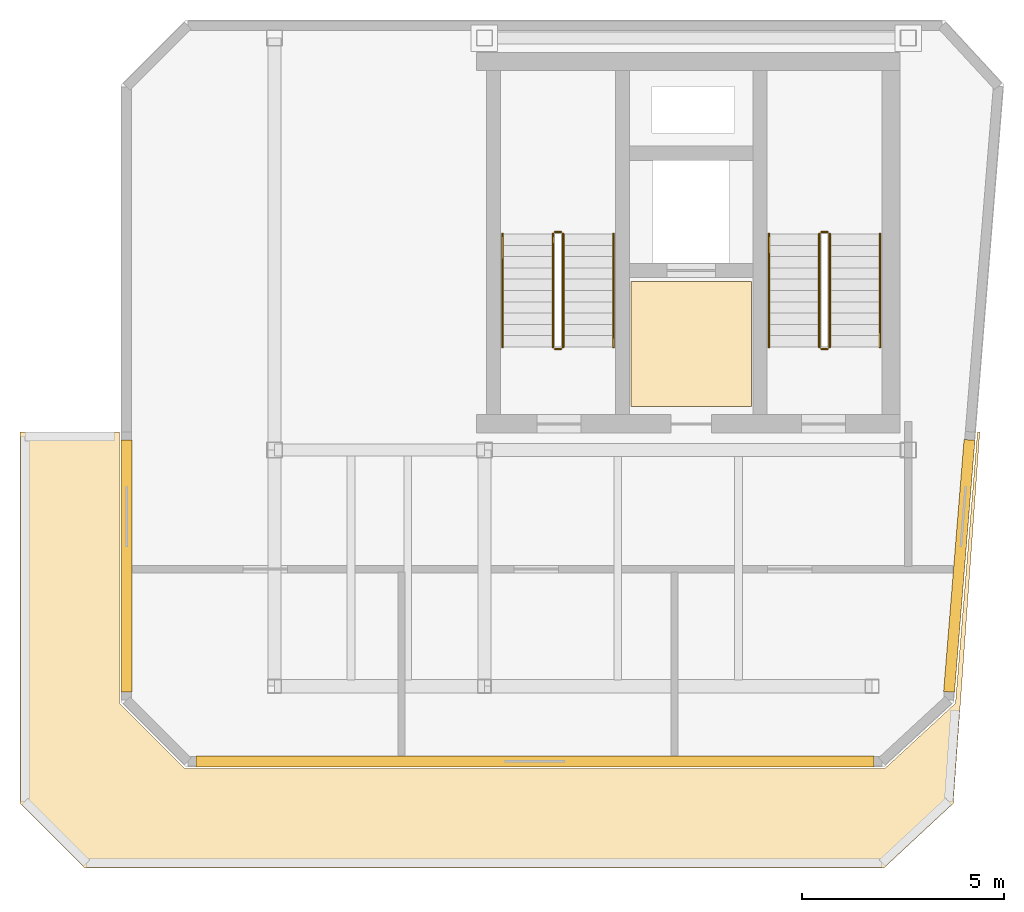
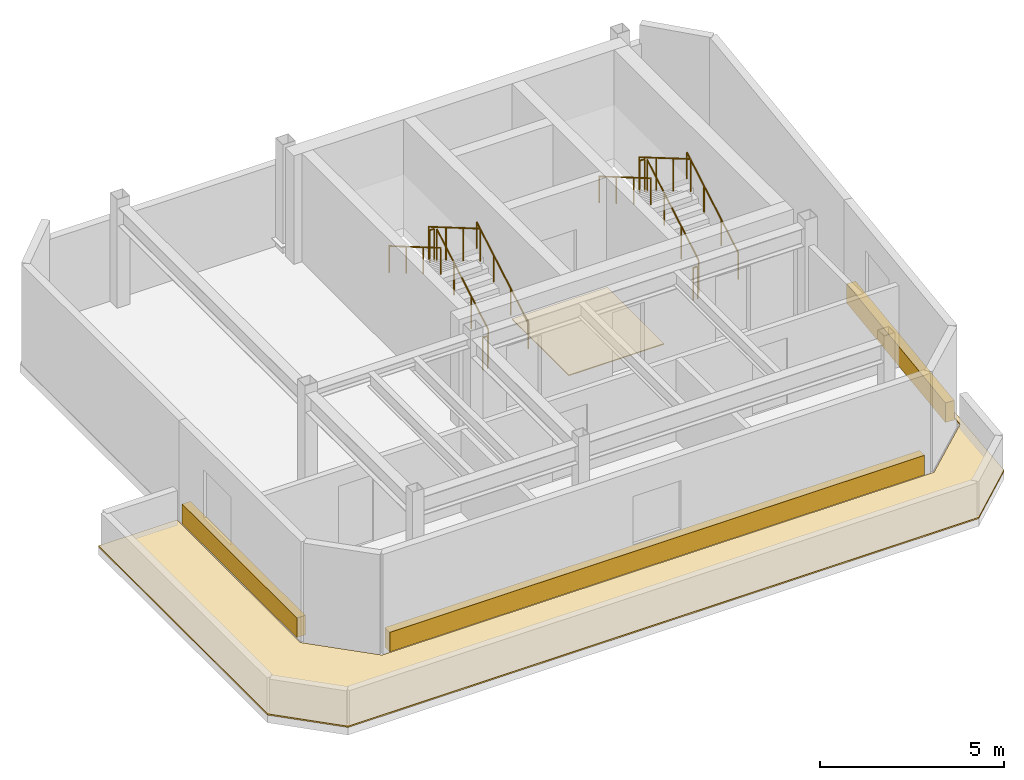
# One storey, part 3 of 3: 12 railings, 5 coverings.
"""IFC4 building model written with IfcOpenShell, lengths in metres."""

from ifc_helpers import new_model, si_unit, direction, frame, origin, origin_2d, place, context, subcontext, project, spatial, polyline, rectangle, circle, outline, extrude, material, layer, layer_set, type_object, element, save


model = new_model("IFC4")

# Units and contexts
model_context = context("Model", 3, precision=1e-05, world=origin(), true_north=direction((0.0, 1.0)))
body_context = subcontext(model_context, "Body", "Model", "MODEL_VIEW")
ifc_project = project(units=[si_unit("LENGTHUNIT", "METRE"), si_unit("AREAUNIT", "SQUARE_METRE"), si_unit("VOLUMEUNIT", "CUBIC_METRE"), si_unit("PLANEANGLEUNIT", "RADIAN"), si_unit("MASSUNIT", "GRAM", prefix="KILO")], contexts=[model_context])

# Site, building, storey
site_placement = place(None, origin())
site = spatial("IfcSite", under=ifc_project, at=site_placement, CompositionType="ELEMENT")
building_placement = place(site_placement, origin())
building = spatial("IfcBuilding", under=site, at=building_placement, Name="Kravanh Interchange Tower", CompositionType="ELEMENT")
storey_placement = place(building_placement, frame((0.0, 0.0, 322.800048828125)))
storey = spatial("IfcBuildingStorey", under=building, at=storey_placement, Name="L80", CompositionType="ELEMENT", Elevation=322.800048828125)

# Coverings
ifc_material_1 = material(Name="Anodised Champagne Bronze Aluminium", Category="aluminium")
ifc_layer_1 = layer(ifc_material_1, 0.02490234375)
ifc_layer_set_1 = layer_set([ifc_layer_1], Name="Anodised Bronze Spandrel Fascia Cladding 25mm")
covering_type_1 = type_object("IfcCoveringType", Name="Anodised Bronze Spandrel Fascia Cladding 25mm", PredefinedType="CLADDING", material=ifc_layer_set_1)
covering_1_placement = place(storey_placement, frame((47.139892578125, 34.47900390625, 0.02490234375), z_axis=(0.0, 0.0, 1.0), x_axis=(0.0, 1.0, 0.0)))
element("IfcCovering", 1, at=covering_1_placement, inside=storey, type_object=covering_type_1, Name="L80 Bronze Fascia Cladding 1", PredefinedType="CLADDING", context=body_context, shape_type="SweptSolid", body=[
    extrude(rectangle(XDim=6.241943359375, YDim=0.27001953125, at=origin_2d()), origin(), (0.0, 0.0, 1.0), 0.64990234375),
])
covering_2_placement = place(storey_placement, frame((67.76318359375, 34.480224609375, 0.02490234375), z_axis=(0.0, 0.0, 1.0), x_axis=(-0.080816917567, -0.996728963076, 0.0)))
element("IfcCovering", 2, at=covering_2_placement, inside=storey, type_object=covering_type_1, Name="L80 Bronze Fascia Cladding 7", PredefinedType="CLADDING", context=body_context, shape_type="SweptSolid", body=[
    extrude(rectangle(XDim=6.260986328125, YDim=0.27001953125, at=origin_2d()), origin(), (0.0, 0.0, 1.0), 0.64990234375),
])
covering_3_placement = place(storey_placement, frame((57.251708984375, 29.639892578125, 0.02490234375), z_axis=(0.0, 0.0, 1.0), x_axis=(-1.0, 0.0, 0.0)))
element("IfcCovering", 3, at=covering_3_placement, inside=storey, type_object=covering_type_1, Name="L80 Bronze Fascia Cladding 9", PredefinedType="CLADDING", context=body_context, shape_type="SweptSolid", body=[
    extrude(rectangle(XDim=16.787109375, YDim=0.27001953125, at=origin_2d()), origin(), (0.0, 0.0, 1.0), 0.64990234375),
])
ifc_material_2 = material(Name="Cementitious Terrazzo Tile")
ifc_layer_2 = layer(ifc_material_2, 0.030029296875)
ifc_layer_set_2 = layer_set([ifc_layer_2], Name="Honed Terrazzo Lobby Flooring 30mm")
covering_type_2 = type_object("IfcCoveringType", Name="Honed Terrazzo Lobby Flooring 30mm", PredefinedType="FLOORING", material=ifc_layer_set_2)
covering_4_placement = place(storey_placement, origin())
element("IfcCovering", 4, at=covering_4_placement, inside=storey, type_object=covering_type_2, Name="L80 Service Lift Lobby Floor Finish", PredefinedType="FLOORING", context=body_context, shape_type="SweptSolid", body=[
    extrude(outline(polyline([(59.6298828125, 41.52001953125), (62.6201171875, 41.52001953125), (62.6201171875, 38.429931640625), (59.6298828125, 38.429931640625), (59.6298828125, 41.52001953125)])), origin(), (0.0, 0.0, 1.0), 0.030029296875),
])
ifc_material_3 = material(Name="SBS Modified Bitumen and XPS Insulation")
ifc_layer_3 = layer(ifc_material_3, 0.044921875)
ifc_layer_set_3 = layer_set([ifc_layer_3], Name="Insulated Waterproof Roofing Membrane 45mm")
covering_type_3 = type_object("IfcCoveringType", Name="Insulated Waterproof Roofing Membrane 45mm", PredefinedType="ROOFING", material=ifc_layer_set_3)
covering_5_placement = place(storey_placement, origin())
element("IfcCovering", 5, at=covering_5_placement, inside=storey, type_object=covering_type_3, Name="L80 Stepped Roof Waterproof Membrane 1", PredefinedType="ROOFING", context=body_context, shape_type="SweptSolid", body=[
    extrude(outline(polyline([(65.89990234375, 27.0), (46.10009765625, 27.0), (44.5, 28.60009765625), (44.5, 37.800048828125), (46.9599609375, 37.800048828125), (46.9599609375, 31.08349609375), (48.58349609375, 29.4599609375), (65.91552734375, 29.4599609375), (67.66796875, 31.075927734375), (68.213134765625, 37.800048828125), (68.271484375, 37.800048828125), (67.614013671875, 28.595947265625), (65.89990234375, 27.0)])), origin(), (0.0, 0.0, 1.0), 0.044921875),
])

# Railings
ifc_material_4 = material(Name="Structural Steel S355", Category="steel")
ifc_layer_4 = layer(ifc_material_4, 0.050048828125)
ifc_layer_set_4 = layer_set([ifc_layer_4], Name="Stair Well Guardrail Structural Steel S355 1100mm")
railing_type_1 = type_object("IfcRailingType", Name="Stair Well Guardrail Structural Steel S355 1100mm", PredefinedType="GUARDRAIL", material=ifc_layer_set_4)
railing_1_placement = place(storey_placement, frame((64.550048828125, 39.89990234375, 0.16357421875)))
element("IfcRailing", 6, at=railing_1_placement, inside=storey, type_object=railing_type_1, Name="L80 ST1 stair guard 1", PredefinedType="GUARDRAIL", context=body_context, shape_type="SweptSolid", body=[
    extrude(circle(Radius=0.02392578125, at=origin_2d()), frame((0.0, 0.0, 1.076171875), z_axis=(0.0, 0.863360870873, 0.504586966384), x_axis=(-1.0, 0.0, 0.0)), (0.0, 0.0, 1.0), 3.2431640625),
    extrude(circle(Radius=0.02099609375, at=origin_2d()), origin(), (0.0, 0.0, 1.0), 1.052001953125),
    extrude(circle(Radius=0.02099609375, at=origin_2d()), frame((0.0, 0.933349609375, 0.54541015625)), (0.0, 0.0, 1.0), 1.052001953125),
    extrude(circle(Radius=0.02099609375, at=origin_2d()), frame((0.0, 1.86669921875, 1.091064453125)), (0.0, 0.0, 1.0), 1.052001953125),
    extrude(circle(Radius=0.02099609375, at=origin_2d()), frame((0.0, 2.800048828125, 1.636474609375)), (0.0, 0.0, 1.0), 1.052001953125),
])
railing_2_placement = place(storey_placement, frame((64.5, 42.75, 1.800048828125)))
element("IfcRailing", 7, at=railing_2_placement, inside=storey, type_object=railing_type_1, Name="L80 ST1 stair guard 2", PredefinedType="GUARDRAIL", context=body_context, shape_type="SweptSolid", body=[
    extrude(circle(Radius=0.02392578125, at=origin_2d()), frame((0.0, 0.0, 1.076171875), z_axis=(-1.0, 0.0, 0.0), x_axis=(0.0, -1.0, 0.0)), (0.0, 0.0, 1.0), 0.14990234375),
    extrude(circle(Radius=0.02099609375, at=origin_2d()), origin(), (0.0, 0.0, 1.0), 1.052001953125),
    extrude(circle(Radius=0.02099609375, at=origin_2d()), frame((-0.14990234375, 0.0, 0.0)), (0.0, 0.0, 1.0), 1.052001953125),
])
railing_3_placement = place(storey_placement, frame((64.300048828125, 42.699951171875, 1.963623046875)))
element("IfcRailing", 8, at=railing_3_placement, inside=storey, type_object=railing_type_1, Name="L80 ST1 stair guard 3", PredefinedType="GUARDRAIL", context=body_context, shape_type="SweptSolid", body=[
    extrude(circle(Radius=0.02392578125, at=origin_2d()), frame((0.0, 0.0, 1.076171875), z_axis=(0.0, -0.863393664356, 0.504530851732), x_axis=(1.0, 0.0, 0.0)), (0.0, 0.0, 1.0), 3.2431640625),
    extrude(circle(Radius=0.02099609375, at=origin_2d()), origin(), (0.0, 0.0, 1.0), 1.052001953125),
    extrude(circle(Radius=0.02099609375, at=origin_2d()), frame((0.0, -0.933349609375, 0.54541015625)), (0.0, 0.0, 1.0), 1.052001953125),
    extrude(circle(Radius=0.02099609375, at=origin_2d()), frame((0.0, -1.86669921875, 1.0908203125)), (0.0, 0.0, 1.0), 1.052001953125),
    extrude(circle(Radius=0.02099609375, at=origin_2d()), frame((0.0, -2.800048828125, 1.63623046875)), (0.0, 0.0, 1.0), 1.052001953125),
])
railing_4_placement = place(storey_placement, frame((64.5, 39.85009765625, 0.0)))
element("IfcRailing", 9, at=railing_4_placement, inside=storey, type_object=railing_type_1, Name="L80 ST1 stair guard 4", PredefinedType="GUARDRAIL", context=body_context, shape_type="SweptSolid", body=[
    extrude(circle(Radius=0.02392578125, at=origin_2d()), frame((0.0, 0.0, 1.076171875), z_axis=(-1.0, 0.0, 0.0), x_axis=(0.0, -1.0, 0.0)), (0.0, 0.0, 1.0), 0.14990234375),
    extrude(circle(Radius=0.02099609375, at=origin_2d()), origin(), (0.0, 0.0, 1.0), 1.052001953125),
    extrude(circle(Radius=0.02099609375, at=origin_2d()), frame((-0.14990234375, 0.0, 0.0)), (0.0, 0.0, 1.0), 1.052001953125),
])
railing_5_placement = place(storey_placement, frame((57.949951171875, 39.89990234375, 0.16357421875)))
element("IfcRailing", 10, at=railing_5_placement, inside=storey, type_object=railing_type_1, Name="L80 ST2 stair guard 1", PredefinedType="GUARDRAIL", context=body_context, shape_type="SweptSolid", body=[
    extrude(circle(Radius=0.02392578125, at=origin_2d()), frame((0.0, 0.0, 1.076171875), z_axis=(0.0, 0.863360870873, 0.504586966384), x_axis=(-1.0, 0.0, 0.0)), (0.0, 0.0, 1.0), 3.2431640625),
    extrude(circle(Radius=0.02099609375, at=origin_2d()), origin(), (0.0, 0.0, 1.0), 1.052001953125),
    extrude(circle(Radius=0.02099609375, at=origin_2d()), frame((0.0, 0.933349609375, 0.54541015625)), (0.0, 0.0, 1.0), 1.052001953125),
    extrude(circle(Radius=0.02099609375, at=origin_2d()), frame((0.0, 1.86669921875, 1.091064453125)), (0.0, 0.0, 1.0), 1.052001953125),
    extrude(circle(Radius=0.02099609375, at=origin_2d()), frame((0.0, 2.800048828125, 1.636474609375)), (0.0, 0.0, 1.0), 1.052001953125),
])
railing_6_placement = place(storey_placement, frame((57.89990234375, 42.75, 1.800048828125)))
element("IfcRailing", 11, at=railing_6_placement, inside=storey, type_object=railing_type_1, Name="L80 ST2 stair guard 2", PredefinedType="GUARDRAIL", context=body_context, shape_type="SweptSolid", body=[
    extrude(circle(Radius=0.02392578125, at=origin_2d()), frame((0.0, 0.0, 1.076171875), z_axis=(-1.0, 0.0, 0.0), x_axis=(0.0, -1.0, 0.0)), (0.0, 0.0, 1.0), 0.14990234375),
    extrude(circle(Radius=0.02099609375, at=origin_2d()), origin(), (0.0, 0.0, 1.0), 1.052001953125),
    extrude(circle(Radius=0.02099609375, at=origin_2d()), frame((-0.14990234375, 0.0, 0.0)), (0.0, 0.0, 1.0), 1.052001953125),
])
railing_7_placement = place(storey_placement, frame((57.699951171875, 42.699951171875, 1.963623046875)))
element("IfcRailing", 12, at=railing_7_placement, inside=storey, type_object=railing_type_1, Name="L80 ST2 stair guard 3", PredefinedType="GUARDRAIL", context=body_context, shape_type="SweptSolid", body=[
    extrude(circle(Radius=0.02392578125, at=origin_2d()), frame((0.0, 0.0, 1.076171875), z_axis=(0.0, -0.863393664356, 0.504530851732), x_axis=(1.0, 0.0, 0.0)), (0.0, 0.0, 1.0), 3.2431640625),
    extrude(circle(Radius=0.02099609375, at=origin_2d()), origin(), (0.0, 0.0, 1.0), 1.052001953125),
    extrude(circle(Radius=0.02099609375, at=origin_2d()), frame((0.0, -0.933349609375, 0.54541015625)), (0.0, 0.0, 1.0), 1.052001953125),
    extrude(circle(Radius=0.02099609375, at=origin_2d()), frame((0.0, -1.86669921875, 1.0908203125)), (0.0, 0.0, 1.0), 1.052001953125),
    extrude(circle(Radius=0.02099609375, at=origin_2d()), frame((0.0, -2.800048828125, 1.63623046875)), (0.0, 0.0, 1.0), 1.052001953125),
])
railing_8_placement = place(storey_placement, frame((57.89990234375, 39.85009765625, 0.0)))
element("IfcRailing", 13, at=railing_8_placement, inside=storey, type_object=railing_type_1, Name="L80 ST2 stair guard 4", PredefinedType="GUARDRAIL", context=body_context, shape_type="SweptSolid", body=[
    extrude(circle(Radius=0.02392578125, at=origin_2d()), frame((0.0, 0.0, 1.076171875), z_axis=(-1.0, 0.0, 0.0), x_axis=(0.0, -1.0, 0.0)), (0.0, 0.0, 1.0), 0.14990234375),
    extrude(circle(Radius=0.02099609375, at=origin_2d()), origin(), (0.0, 0.0, 1.0), 1.052001953125),
    extrude(circle(Radius=0.02099609375, at=origin_2d()), frame((-0.14990234375, 0.0, 0.0)), (0.0, 0.0, 1.0), 1.052001953125),
])
ifc_material_5 = material(Name="Stainless Steel 304", Category="steel")
ifc_layer_5 = layer(ifc_material_5, 0.044921875)
ifc_layer_set_5 = layer_set([ifc_layer_5], Name="Tubular Stair Handrail Stainless 304 900mm")
railing_type_2 = type_object("IfcRailingType", Name="Tubular Stair Handrail Stainless 304 900mm", PredefinedType="HANDRAIL", material=ifc_layer_set_5)
railing_9_placement = place(storey_placement, frame((65.800048828125, 39.89990234375, 0.16357421875)))
element("IfcRailing", 14, at=railing_9_placement, inside=storey, type_object=railing_type_2, Name="L80 ST1 stair handrail 1", PredefinedType="HANDRAIL", context=body_context, shape_type="SweptSolid", body=[
    extrude(circle(Radius=0.02392578125, at=origin_2d()), frame((0.0, 0.0, 0.8759765625), z_axis=(0.0, 0.863360870873, 0.504586966384), x_axis=(-1.0, 0.0, 0.0)), (0.0, 0.0, 1.0), 3.2431640625),
    extrude(circle(Radius=0.02099609375, at=origin_2d()), origin(), (0.0, 0.0, 1.0), 0.851806640625),
    extrude(circle(Radius=0.02099609375, at=origin_2d()), frame((0.0, 0.933349609375, 0.54541015625)), (0.0, 0.0, 1.0), 0.851806640625),
    extrude(circle(Radius=0.02099609375, at=origin_2d()), frame((0.0, 1.86669921875, 1.091064453125)), (0.0, 0.0, 1.0), 0.851806640625),
    extrude(circle(Radius=0.02099609375, at=origin_2d()), frame((0.0, 2.800048828125, 1.636474609375)), (0.0, 0.0, 1.0), 0.851806640625),
])
railing_10_placement = place(storey_placement, frame((63.050048828125, 42.699951171875, 1.963623046875)))
element("IfcRailing", 15, at=railing_10_placement, inside=storey, type_object=railing_type_2, Name="L80 ST1 stair handrail 2", PredefinedType="HANDRAIL", context=body_context, shape_type="SweptSolid", body=[
    extrude(circle(Radius=0.02392578125, at=origin_2d()), frame((0.0, 0.0, 0.8759765625), z_axis=(0.0, -0.863393664356, 0.504530851732), x_axis=(1.0, 0.0, 0.0)), (0.0, 0.0, 1.0), 3.2431640625),
    extrude(circle(Radius=0.02099609375, at=origin_2d()), origin(), (0.0, 0.0, 1.0), 0.851806640625),
    extrude(circle(Radius=0.02099609375, at=origin_2d()), frame((0.0, -0.933349609375, 0.54541015625)), (0.0, 0.0, 1.0), 0.851806640625),
    extrude(circle(Radius=0.02099609375, at=origin_2d()), frame((0.0, -1.86669921875, 1.0908203125)), (0.0, 0.0, 1.0), 0.851806640625),
    extrude(circle(Radius=0.02099609375, at=origin_2d()), frame((0.0, -2.800048828125, 1.63623046875)), (0.0, 0.0, 1.0), 0.851806640625),
])
railing_11_placement = place(storey_placement, frame((59.199951171875, 39.89990234375, 0.16357421875)))
element("IfcRailing", 16, at=railing_11_placement, inside=storey, type_object=railing_type_2, Name="L80 ST2 stair handrail 1", PredefinedType="HANDRAIL", context=body_context, shape_type="SweptSolid", body=[
    extrude(circle(Radius=0.02392578125, at=origin_2d()), frame((0.0, 0.0, 0.8759765625), z_axis=(0.0, 0.863360870873, 0.504586966384), x_axis=(-1.0, 0.0, 0.0)), (0.0, 0.0, 1.0), 3.2431640625),
    extrude(circle(Radius=0.02099609375, at=origin_2d()), origin(), (0.0, 0.0, 1.0), 0.851806640625),
    extrude(circle(Radius=0.02099609375, at=origin_2d()), frame((0.0, 0.933349609375, 0.54541015625)), (0.0, 0.0, 1.0), 0.851806640625),
    extrude(circle(Radius=0.02099609375, at=origin_2d()), frame((0.0, 1.86669921875, 1.091064453125)), (0.0, 0.0, 1.0), 0.851806640625),
    extrude(circle(Radius=0.02099609375, at=origin_2d()), frame((0.0, 2.800048828125, 1.636474609375)), (0.0, 0.0, 1.0), 0.851806640625),
])
railing_12_placement = place(storey_placement, frame((56.449951171875, 42.699951171875, 1.963623046875)))
element("IfcRailing", 17, at=railing_12_placement, inside=storey, type_object=railing_type_2, Name="L80 ST2 stair handrail 2", PredefinedType="HANDRAIL", context=body_context, shape_type="SweptSolid", body=[
    extrude(circle(Radius=0.02392578125, at=origin_2d()), frame((0.0, 0.0, 0.8759765625), z_axis=(0.0, -0.863393664356, 0.504530851732), x_axis=(1.0, 0.0, 0.0)), (0.0, 0.0, 1.0), 3.2431640625),
    extrude(circle(Radius=0.02099609375, at=origin_2d()), origin(), (0.0, 0.0, 1.0), 0.851806640625),
    extrude(circle(Radius=0.02099609375, at=origin_2d()), frame((0.0, -0.933349609375, 0.54541015625)), (0.0, 0.0, 1.0), 0.851806640625),
    extrude(circle(Radius=0.02099609375, at=origin_2d()), frame((0.0, -1.86669921875, 1.0908203125)), (0.0, 0.0, 1.0), 0.851806640625),
    extrude(circle(Radius=0.02099609375, at=origin_2d()), frame((0.0, -2.800048828125, 1.63623046875)), (0.0, 0.0, 1.0), 0.851806640625),
])

save(model, "model.ifc")
